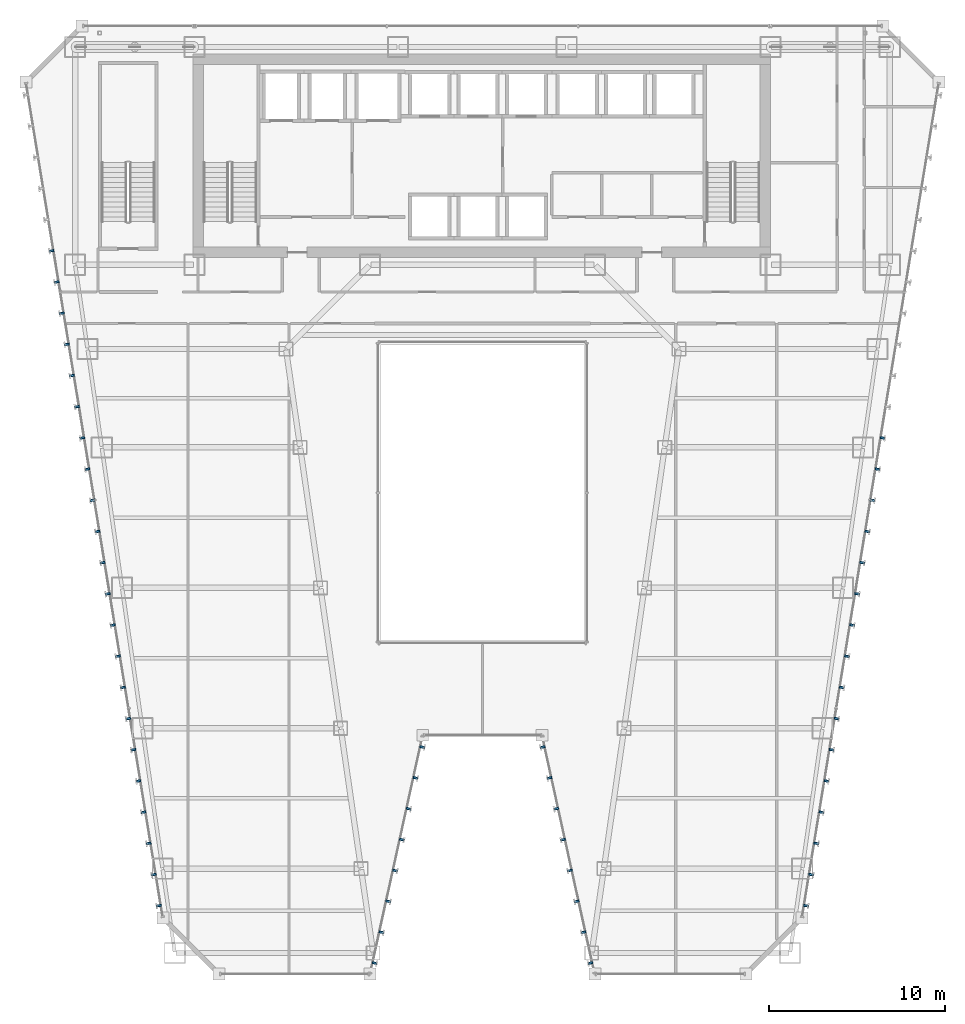
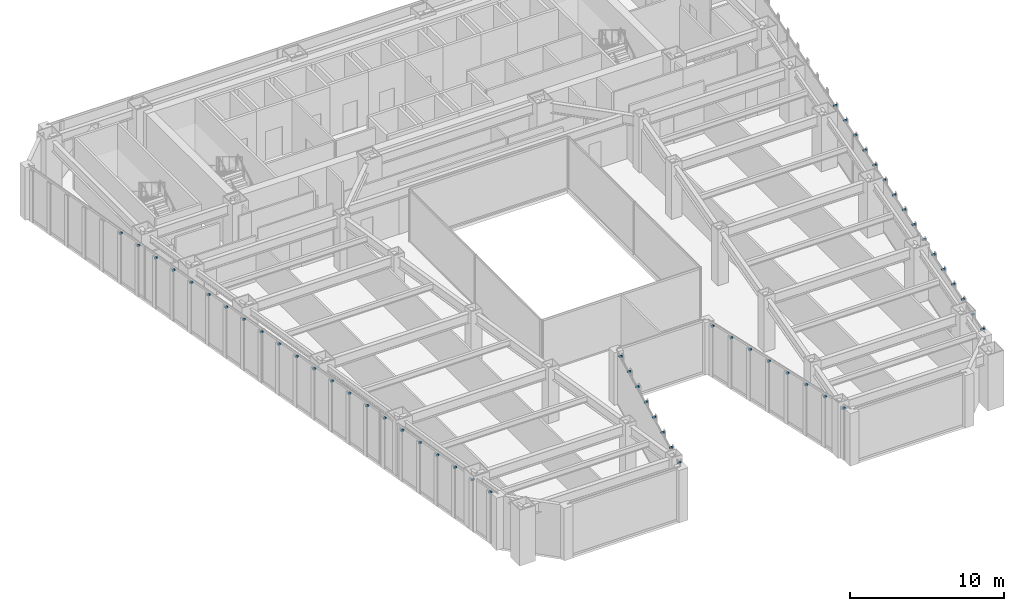
# One storey, part 39 of 47: 54 discrete accessories.
"""IFC4 building model written with IfcOpenShell, lengths in metres."""

from ifc_helpers import new_model, si_unit, direction, frame, origin, origin_2d, place, context, subcontext, project, spatial, rectangle, extrude, material, layer, layer_set, type_object, element, save


model = new_model("IFC4")

# Units and contexts
model_context = context("Model", 3, precision=1e-05, world=origin(), true_north=direction((0.0, 1.0)))
body_context = subcontext(model_context, "Body", "Model", "MODEL_VIEW")
ifc_project = project(units=[si_unit("LENGTHUNIT", "METRE"), si_unit("AREAUNIT", "SQUARE_METRE"), si_unit("VOLUMEUNIT", "CUBIC_METRE"), si_unit("PLANEANGLEUNIT", "RADIAN"), si_unit("MASSUNIT", "GRAM", prefix="KILO")], contexts=[model_context])

# Site, building, storey
site_placement = place(None, origin())
site = spatial("IfcSite", under=ifc_project, at=site_placement, CompositionType="ELEMENT")
building_placement = place(site_placement, origin())
building = spatial("IfcBuilding", under=site, at=building_placement, Name="Saevonmaru Cultural Tower", CompositionType="ELEMENT")
storey_placement = place(building_placement, frame((0.0, 0.0, 69.199951171875)))
storey = spatial("IfcBuildingStorey", under=building, at=storey_placement, Name="L14", CompositionType="ELEMENT", Elevation=69.199951171875)

# Discrete accessories
ifc_material = material(Name="Stainless Steel 316", Category="steel")
ifc_layer = layer(ifc_material, 0.1201171875, Name="Stainless Steel 316")
ifc_layer_set = layer_set([ifc_layer], Name="Stainless Steel 316")
discrete_accessory_type = type_object("IfcDiscreteAccessoryType", Name="ACC-FIN-BRKT", PredefinedType="BRACKET", material=ifc_layer_set)
for number, where, z_axis, x_axis, name in (
    (1, (23.850341796875, 2.624267578125, 3.929931640625), (0.0, 0.0, 1.0), (0.976522126798, -0.215417120661, 0.0), "L14 Bronze Fin Bracket E3-01"),
    (2, (24.238037109375, 4.3818359375, 3.929931640625), (0.0, 0.0, 1.0), (0.976522126798, -0.215417120661, 0.0), "L14 Bronze Fin Bracket E3-02"),
    (3, (24.625732421875, 6.1396484375, 3.929931640625), (0.0, 0.0, 1.0), (0.976522126798, -0.215417120661, 0.0), "L14 Bronze Fin Bracket E3-03"),
    (4, (25.013427734375, 7.8974609375, 3.929931640625), (0.0, 0.0, 1.0), (0.976522126798, -0.215417120661, 0.0), "L14 Bronze Fin Bracket E3-04"),
    (5, (25.4013671875, 9.6552734375, 3.929931640625), (0.0, 0.0, 1.0), (0.976522126798, -0.215417120661, 0.0), "L14 Bronze Fin Bracket E3-05"),
    (6, (25.7890625, 11.412841796875, 3.929931640625), (0.0, 0.0, 1.0), (0.976522126798, -0.215417120661, 0.0), "L14 Bronze Fin Bracket E3-06"),
    (7, (26.1767578125, 13.170654296875, 3.929931640625), (0.0, 0.0, 1.0), (0.976522126798, -0.215417120661, 0.0), "L14 Bronze Fin Bracket E3-07"),
    (8, (26.564453125, 14.928466796875, 3.929931640625), (0.0, 0.0, 1.0), (0.976522126798, -0.215417120661, 0.0), "L14 Bronze Fin Bracket E3-08"),
    (9, (33.435546875, 14.928466796875, 3.929931640625), (0.0, 0.0, 1.0), (-0.976522126798, -0.215417120661, 0.0), "L14 Bronze Fin Bracket E5-01"),
    (10, (33.8232421875, 13.170654296875, 3.929931640625), (0.0, 0.0, 1.0), (-0.976522126798, -0.215417120661, 0.0), "L14 Bronze Fin Bracket E5-02"),
    (11, (34.2109375, 11.412841796875, 3.929931640625), (0.0, 0.0, 1.0), (-0.976522126798, -0.215417120661, 0.0), "L14 Bronze Fin Bracket E5-03"),
    (12, (34.5986328125, 9.6552734375, 3.929931640625), (0.0, 0.0, 1.0), (-0.976522126798, -0.215417120661, 0.0), "L14 Bronze Fin Bracket E5-04"),
    (13, (34.986572265625, 7.8974609375, 3.929931640625), (0.0, 0.0, 1.0), (-0.976522126798, -0.215417120661, 0.0), "L14 Bronze Fin Bracket E5-05"),
    (14, (35.374267578125, 6.1396484375, 3.929931640625), (0.0, 0.0, 1.0), (-0.976522126798, -0.215417120661, 0.0), "L14 Bronze Fin Bracket E5-06"),
    (15, (35.761962890625, 4.3818359375, 3.929931640625), (0.0, 0.0, 1.0), (-0.976522126798, -0.215417120661, 0.0), "L14 Bronze Fin Bracket E5-07"),
    (16, (36.149658203125, 2.624267578125, 3.929931640625), (0.0, 0.0, 1.0), (-0.976522126798, -0.215417120661, 0.0), "L14 Bronze Fin Bracket E5-08"),
    (17, (48.424560546875, 5.89013671875, 3.929931640625), (0.0, 0.0, 1.0), (0.986827496189, -0.161776057456, 0.0), "L14 Bronze Fin Bracket E8-01"),
    (18, (48.715576171875, 7.66650390625, 3.929931640625), (0.0, 0.0, 1.0), (0.986827496189, -0.161776057456, 0.0), "L14 Bronze Fin Bracket E8-02"),
    (19, (49.006591796875, 9.44287109375, 3.929931640625), (0.0, 0.0, 1.0), (0.986827496189, -0.161776057456, 0.0), "L14 Bronze Fin Bracket E8-03"),
    (20, (49.2978515625, 11.218994140625, 3.929931640625), (0.0, 0.0, 1.0), (0.986827496189, -0.161776057456, 0.0), "L14 Bronze Fin Bracket E8-04"),
    (21, (49.5888671875, 12.995361328125, 3.929931640625), (0.0, 0.0, 1.0), (0.986827496189, -0.161776057456, 0.0), "L14 Bronze Fin Bracket E8-05"),
    (22, (49.8798828125, 14.771728515625, 3.929931640625), (0.0, 0.0, 1.0), (0.986827496189, -0.161776057456, 0.0), "L14 Bronze Fin Bracket E8-06"),
    (23, (50.1708984375, 16.548095703125, 3.929931640625), (0.0, 0.0, 1.0), (0.986827496189, -0.161776057456, 0.0), "L14 Bronze Fin Bracket E8-07"),
    (24, (50.462158203125, 18.324462890625, 3.929931640625), (0.0, 0.0, 1.0), (0.986827496189, -0.161776057456, 0.0), "L14 Bronze Fin Bracket E8-08"),
    (25, (50.753173828125, 20.1005859375, 3.929931640625), (0.0, 0.0, 1.0), (0.986827496189, -0.161776057456, 0.0), "L14 Bronze Fin Bracket E8-09"),
    (26, (51.044189453125, 21.876953125, 3.929931640625), (0.0, 0.0, 1.0), (0.986827496189, -0.161776057456, 0.0), "L14 Bronze Fin Bracket E8-10"),
    (27, (51.335205078125, 23.6533203125, 3.929931640625), (0.0, 0.0, 1.0), (0.986827496189, -0.161776057456, 0.0), "L14 Bronze Fin Bracket E8-11"),
    (28, (51.62646484375, 25.4296875, 3.929931640625), (0.0, 0.0, 1.0), (0.986827496189, -0.161776057456, 0.0), "L14 Bronze Fin Bracket E8-12"),
    (29, (51.91748046875, 27.205810546875, 3.929931640625), (0.0, 0.0, 1.0), (0.986827496189, -0.161776057456, 0.0), "L14 Bronze Fin Bracket E8-13"),
    (30, (52.20849609375, 28.982177734375, 3.929931640625), (0.0, 0.0, 1.0), (0.986827496189, -0.161776057456, 0.0), "L14 Bronze Fin Bracket E8-14"),
    (31, (52.49951171875, 30.758544921875, 3.929931640625), (0.0, 0.0, 1.0), (0.986827496189, -0.161776057456, 0.0), "L14 Bronze Fin Bracket E8-15"),
    (32, (52.790771484375, 32.534912109375, 3.929931640625), (0.0, 0.0, 1.0), (0.986827496189, -0.161776057456, 0.0), "L14 Bronze Fin Bracket E8-16"),
    (33, (5.462890625, 43.192626953125, 3.929931640625), (0.0, 0.0, 1.0), (-0.986827496189, -0.161776057456, 0.0), "L14 Bronze Fin Bracket E12-06"),
    (34, (5.75390625, 41.41650390625, 3.929931640625), (0.0, 0.0, 1.0), (-0.986827496189, -0.161776057456, 0.0), "L14 Bronze Fin Bracket E12-07"),
    (35, (6.044921875, 39.64013671875, 3.929931640625), (0.0, 0.0, 1.0), (-0.986827496189, -0.161776057456, 0.0), "L14 Bronze Fin Bracket E12-08"),
    (36, (6.336181640625, 37.86376953125, 3.929931640625), (0.0, 0.0, 1.0), (-0.986827496189, -0.161776057456, 0.0), "L14 Bronze Fin Bracket E12-09"),
    (37, (6.627197265625, 36.08740234375, 3.929931640625), (0.0, 0.0, 1.0), (-0.986827496189, -0.161776057456, 0.0), "L14 Bronze Fin Bracket E12-10"),
    (38, (6.918212890625, 34.31103515625, 3.929931640625), (0.0, 0.0, 1.0), (-0.986827496189, -0.161776057456, 0.0), "L14 Bronze Fin Bracket E12-11"),
    (39, (7.209228515625, 32.534912109375, 3.929931640625), (0.0, 0.0, 1.0), (-0.986827496189, -0.161776057456, 0.0), "L14 Bronze Fin Bracket E12-12"),
    (40, (7.50048828125, 30.758544921875, 3.929931640625), (0.0, 0.0, 1.0), (-0.986827496189, -0.161776057456, 0.0), "L14 Bronze Fin Bracket E12-13"),
    (41, (7.79150390625, 28.982177734375, 3.929931640625), (0.0, 0.0, 1.0), (-0.986827496189, -0.161776057456, 0.0), "L14 Bronze Fin Bracket E12-14"),
    (42, (8.08251953125, 27.205810546875, 3.929931640625), (0.0, 0.0, 1.0), (-0.986827496189, -0.161776057456, 0.0), "L14 Bronze Fin Bracket E12-15"),
    (43, (8.37353515625, 25.4296875, 3.929931640625), (0.0, 0.0, 1.0), (-0.986827496189, -0.161776057456, 0.0), "L14 Bronze Fin Bracket E12-16"),
    (44, (8.664794921875, 23.6533203125, 3.929931640625), (0.0, 0.0, 1.0), (-0.986827496189, -0.161776057456, 0.0), "L14 Bronze Fin Bracket E12-17"),
    (45, (8.955810546875, 21.876953125, 3.929931640625), (0.0, 0.0, 1.0), (-0.986827496189, -0.161776057456, 0.0), "L14 Bronze Fin Bracket E12-18"),
    (46, (9.246826171875, 20.1005859375, 3.929931640625), (0.0, 0.0, 1.0), (-0.986827496189, -0.161776057456, 0.0), "L14 Bronze Fin Bracket E12-19"),
    (47, (9.537841796875, 18.324462890625, 3.929931640625), (0.0, 0.0, 1.0), (-0.986827496189, -0.161776057456, 0.0), "L14 Bronze Fin Bracket E12-20"),
    (48, (9.8291015625, 16.548095703125, 3.929931640625), (0.0, 0.0, 1.0), (-0.986827496189, -0.161776057456, 0.0), "L14 Bronze Fin Bracket E12-21"),
    (49, (10.1201171875, 14.771728515625, 3.929931640625), (0.0, 0.0, 1.0), (-0.986827496189, -0.161776057456, 0.0), "L14 Bronze Fin Bracket E12-22"),
    (50, (10.4111328125, 12.995361328125, 3.929931640625), (0.0, 0.0, 1.0), (-0.986827496189, -0.161776057456, 0.0), "L14 Bronze Fin Bracket E12-23"),
    (51, (10.7021484375, 11.218994140625, 3.929931640625), (0.0, 0.0, 1.0), (-0.986827496189, -0.161776057456, 0.0), "L14 Bronze Fin Bracket E12-24"),
    (52, (10.993408203125, 9.44287109375, 3.929931640625), (0.0, 0.0, 1.0), (-0.986827496189, -0.161776057456, 0.0), "L14 Bronze Fin Bracket E12-25"),
    (53, (11.284423828125, 7.66650390625, 3.929931640625), (0.0, 0.0, 1.0), (-0.986827496189, -0.161776057456, 0.0), "L14 Bronze Fin Bracket E12-26"),
    (54, (11.575439453125, 5.89013671875, 3.929931640625), (0.0, 0.0, 1.0), (-0.986827496189, -0.161776057456, 0.0), "L14 Bronze Fin Bracket E12-27"),
):
    element("IfcDiscreteAccessory", number, at=place(storey_placement, frame(where, z_axis=z_axis, x_axis=x_axis)), inside=storey, type_object=discrete_accessory_type, Name=name, PredefinedType="BRACKET", context=body_context, shape_type="SweptSolid", body=[
        extrude(rectangle(XDim=0.260009765625, YDim=0.1201171875, at=origin_2d()), origin(), (0.0, 0.0, 1.0), 0.1201171875),
    ])

save(model, "model.ifc")
